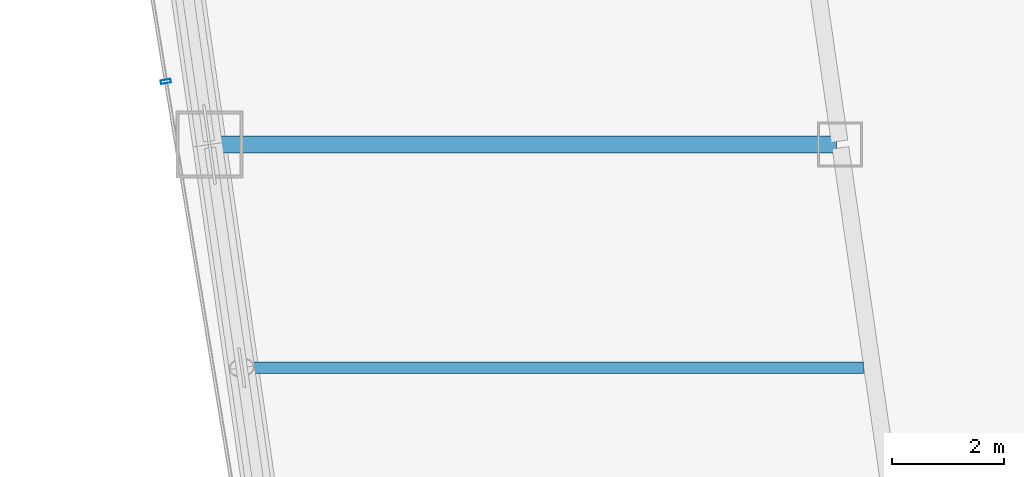
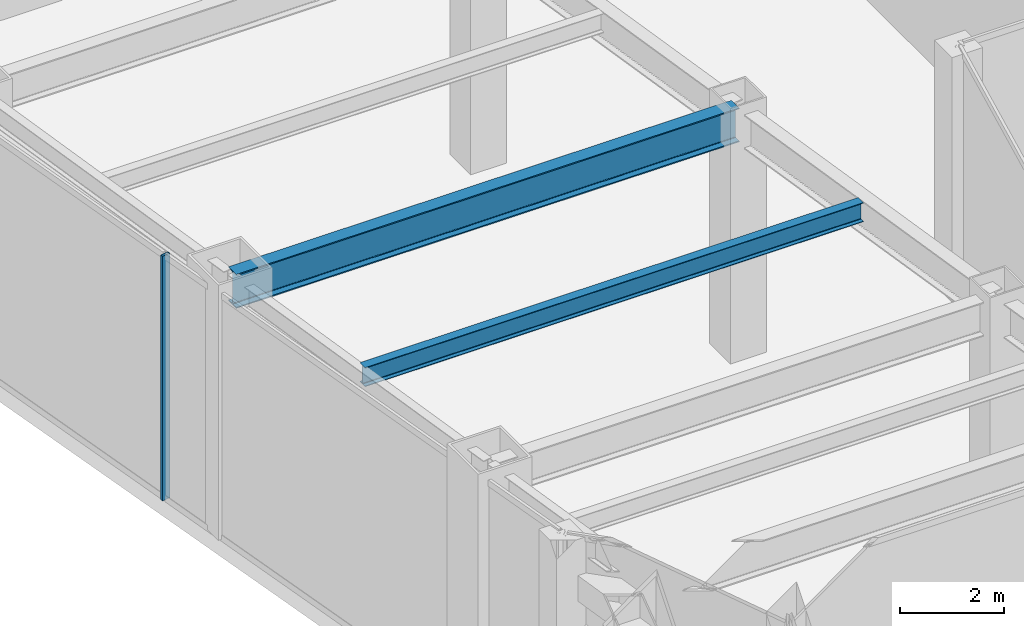
# One storey, part 6 of 35: 2 beams, 1 member, 1 element without a shape of its own.
"""IFC4 building model written with IfcOpenShell, lengths in metres."""

from ifc_helpers import new_model, si_unit, direction, frame, origin, origin_2d, place, context, subcontext, project, spatial, hollow_rectangle, i_section, extrude, material, material_profile, profile_set, type_object, element, aggregate, save


model = new_model("IFC4")

# Units and contexts
model_context = context("Model", 3, precision=1e-05, world=origin(), true_north=direction((0.0, 1.0)))
body_context = subcontext(model_context, "Body", "Model", "MODEL_VIEW")
ifc_project = project(units=[si_unit("LENGTHUNIT", "METRE"), si_unit("AREAUNIT", "SQUARE_METRE"), si_unit("VOLUMEUNIT", "CUBIC_METRE"), si_unit("PLANEANGLEUNIT", "RADIAN"), si_unit("MASSUNIT", "GRAM", prefix="KILO")], contexts=[model_context])

# Site, building, storey
site_placement = place(None, origin())
site = spatial("IfcSite", under=ifc_project, at=site_placement, CompositionType="ELEMENT")
building_placement = place(site_placement, origin())
building = spatial("IfcBuilding", under=site, at=building_placement, Name="Saevonmaru Cultural Tower", CompositionType="ELEMENT")
storey_placement = place(building_placement, frame((0.0, 0.0, 86.800048828125)))
storey = spatial("IfcBuildingStorey", under=building, at=storey_placement, Name="L18", CompositionType="ELEMENT", Elevation=86.800048828125)

# Beams
ifc_material_1 = material(Name="Steel SM420", Category="steel")
ifc_material_profile_1 = material_profile(ifc_material_1, i_section(OverallWidth=0.300048828125, OverallDepth=0.800048828125, WebThickness=0.013916015625, FlangeThickness=0.02587890625, FilletRadius=0.028076171875, at=origin_2d()), Name="H-800x300x14x26")
ifc_profile_set_1 = profile_set([ifc_material_profile_1], Name="Steel SM420")
beam_type_1 = type_object("IfcBeamType", Name="BM-G-H800", PredefinedType="BEAM", material=ifc_profile_set_1)
beam_1_placement = place(storey_placement, frame((10.68798828125, 16.0, 5.349853515625), z_axis=(1.0, 0.0, 0.0), x_axis=(0.0, 1.0, 0.0)))
element("IfcBeam", 1, at=beam_1_placement, inside=storey, type_object=beam_type_1, Name="L18 West Wing Transverse Girder 3", PredefinedType="BEAM", context=body_context, shape_type="SweptSolid", body=[
    extrude(i_section(OverallWidth=0.300048828125, OverallDepth=0.800048828125, WebThickness=0.013916015625, FlangeThickness=0.02587890625, FilletRadius=0.028076171875, at=origin_2d()), origin(), (0.0, 0.0, 1.0), 11.179931640625),
])
ifc_material_2 = material(Name="Steel SM355", Category="steel")
ifc_material_profile_2 = material_profile(ifc_material_2, i_section(OverallWidth=0.199951171875, OverallDepth=0.449951171875, WebThickness=0.009033203125, FlangeThickness=0.013916015625, FilletRadius=0.01806640625, at=origin_2d()), Name="H-450x200x9x14")
ifc_profile_set_2 = profile_set([ifc_material_profile_2], Name="Steel SM355")
beam_type_2 = type_object("IfcBeamType", Name="BM-J-H450", PredefinedType="JOIST", material=ifc_profile_set_2)
beam_2_placement = place(storey_placement, frame((11.265380859375, 12.0, 5.52490234375), z_axis=(1.0, 0.0, 0.0), x_axis=(0.0, 1.0, 0.0)))
element("IfcBeam", 2, at=beam_2_placement, inside=storey, type_object=beam_type_2, Name="L18 West Wing Floor Joist 2", PredefinedType="JOIST", context=body_context, shape_type="SweptSolid", body=[
    extrude(i_section(OverallWidth=0.199951171875, OverallDepth=0.449951171875, WebThickness=0.009033203125, FlangeThickness=0.013916015625, FilletRadius=0.01806640625, at=origin_2d()), origin(), (0.0, 0.0, 1.0), 11.08203125),
])

# Curtain wall, member
ifc_material_3 = material(Name="Satin Bronze Anodised Aluminium", Category="aluminium")
curtain_wall_type = type_object("IfcCurtainWallType", Name="CW-TYP-A", PredefinedType="NOTDEFINED", material=ifc_material_3)
curtain_wall_placement = place(storey_placement, origin())
curtain_wall = element("IfcCurtainWall", 3, at=curtain_wall_placement, inside=storey, type_object=curtain_wall_type, Name="L18 Wind-Floor Acoustic Louvre Screen E12", PredefinedType="NOTDEFINED")
ifc_material_profile_3 = material_profile(ifc_material_3, hollow_rectangle(XDim=0.06494140625, YDim=0.179931640625, WallThickness=0.00390625, at=origin_2d()), Name="ALU-MULL-180x65x4")
ifc_profile_set_3 = profile_set([ifc_material_profile_3], Name="Satin Bronze Anodised Aluminium")
member_type = type_object("IfcMemberType", Name="ML-CW-180x65", PredefinedType="MULLION", material=ifc_profile_set_3)
member_placement = place(storey_placement, frame((9.84521484375, 17.129638671875, 0.0), z_axis=(0.0, 0.0, 1.0), x_axis=(0.161708868641, -0.986838508472, 0.0)))
member = element("IfcMember", 4, at=member_placement, type_object=member_type, Name="CW-TW-L18-E12 mullion 4", PredefinedType="MULLION", context=body_context, shape_type="SweptSolid", body=[
    extrude(hollow_rectangle(XDim=0.06494140625, YDim=0.179931640625, WallThickness=0.00390625, at=origin_2d()), origin(), (0.0, 0.0, 1.0), 5.75),
])
aggregate(curtain_wall, [member])

save(model, "model.ifc")
